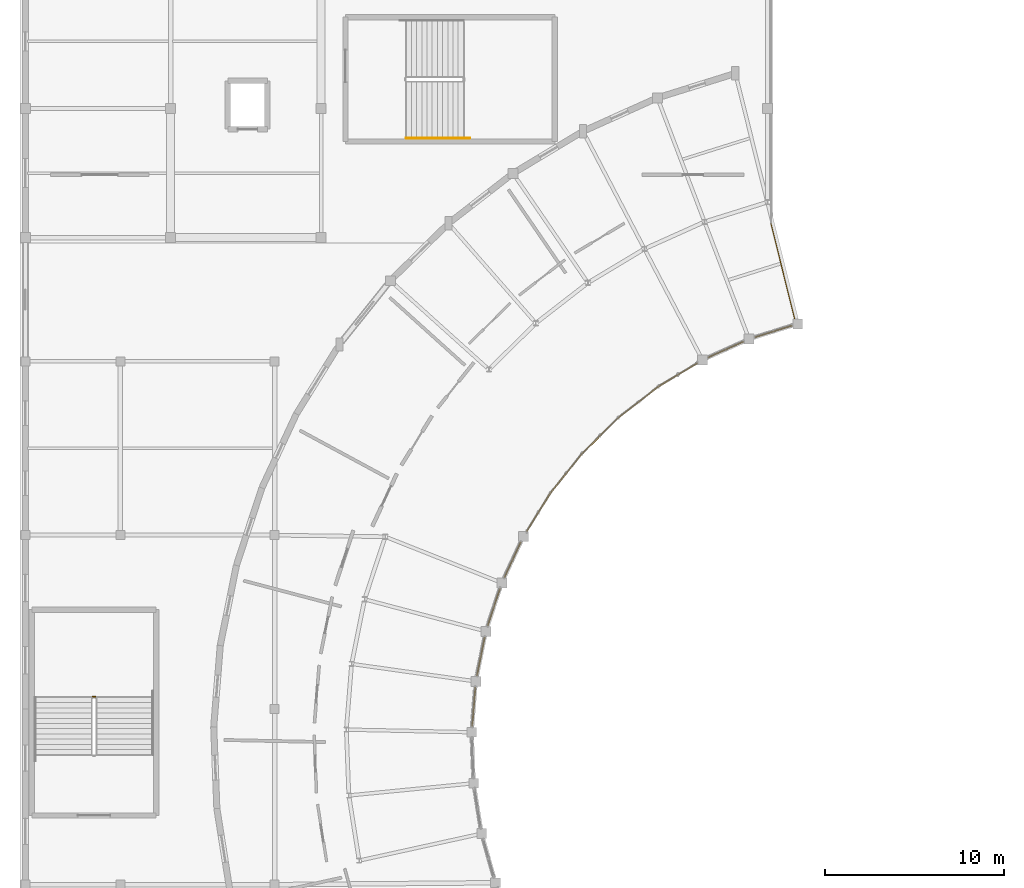
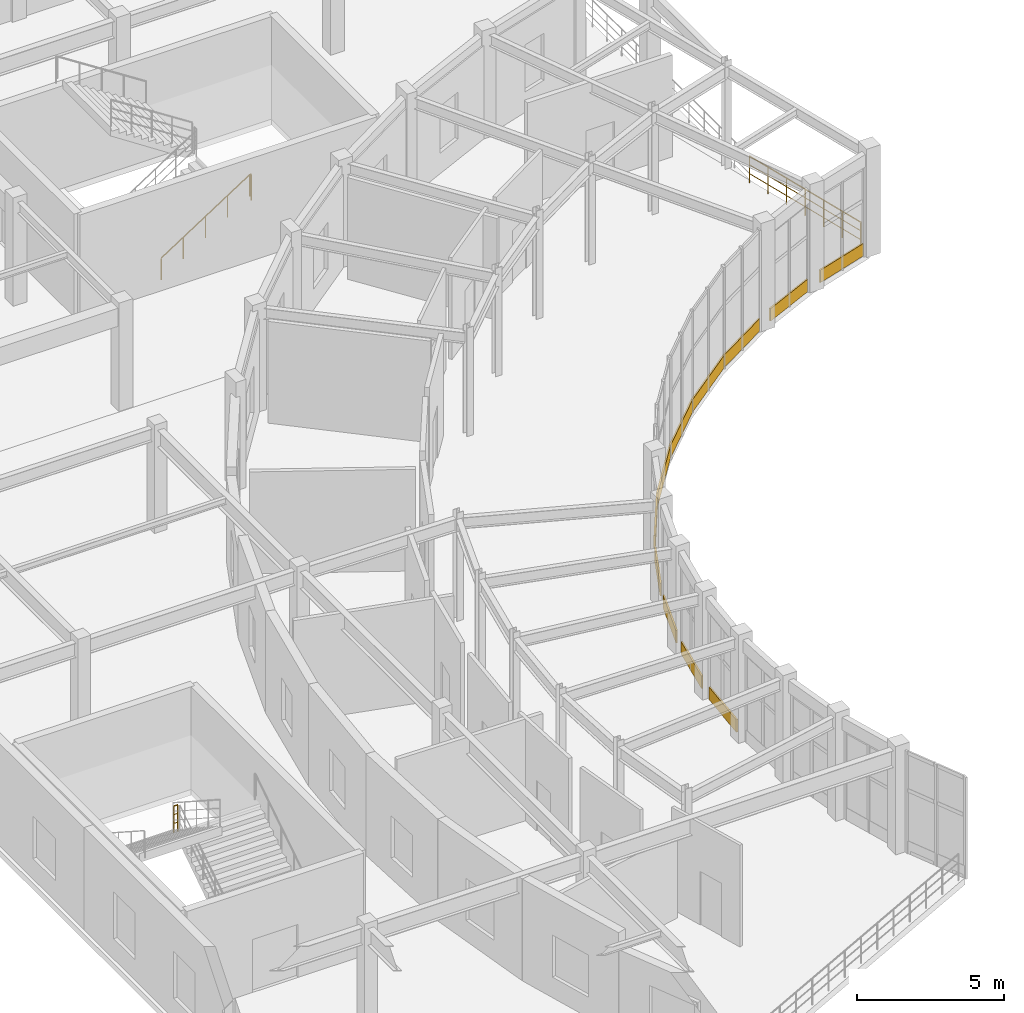
# One storey, part 107 of 112: 11 coverings, 3 railings.
"""IFC4 building model written with IfcOpenShell, lengths in metres."""

import ifcopenshell
import ifcopenshell.guid

model = None  # the IFC model being written
_history = None  # IfcOwnerHistory: only IFC2X3 demands one
_inside = {}  # id of a spatial element -> (the spatial element, [elements in it])
_under = {}  # id of a project, library or spatial element -> (it, [spatial elements below it])
_declared = {}  # id of a project -> (the project, [libraries it declares])
_typed = {}  # id of a type object -> (the type object, [elements of that type])
_made_of = {}  # id of a material, layer set ... -> (it, [elements and type objects made of it])


def new_model(schema):
    """Start an empty IFC model of exactly this schema.

    Asked for "IFC4X3", IfcOpenShell would pick the latest addendum, in which some entities
    have other attributes; the version numbers below select the first issue.
    IFC2X3 requires an IfcOwnerHistory on every rooted entity: one is made here for all.
    """
    global model, _history
    if schema == "IFC4X3":
        model = ifcopenshell.file(schema_version=(4, 3, 0, 0))
    else:
        model = ifcopenshell.file(schema=schema)
    _inside.clear()
    _under.clear()
    _declared.clear()
    _typed.clear()
    _made_of.clear()
    _history = None
    if model.schema == "IFC2X3":
        org = make("IfcOrganization", Name="unknown")
        user = make(
            "IfcPersonAndOrganization",
            ThePerson=make("IfcPerson", FamilyName="unknown"),
            TheOrganization=org,
        )
        app = make(
            "IfcApplication",
            ApplicationDeveloper=org,
            Version="unknown",
            ApplicationFullName="unknown",
            ApplicationIdentifier="unknown",
        )
        _history = make(
            "IfcOwnerHistory",
            OwningUser=user,
            OwningApplication=app,
            ChangeAction="ADDED",
            CreationDate=0,
        )
    return model


def make(cls, **values):
    """One entity of the class cls with the attributes given. An attribute that is None is left unset."""
    return model.create_entity(
        cls, **{name: value for name, value in values.items() if value is not None}
    )


def rooted(cls, **values):
    """An entity with a GlobalId (a new one), such as an element, a storey or a relation."""
    return make(cls, GlobalId=ifcopenshell.guid.new(), OwnerHistory=_history, **values)


def si_unit(unit_type, name, prefix=None):
    """IfcSIUnit, for example si_unit("LENGTHUNIT", "METRE", prefix="MILLI")."""
    return make("IfcSIUnit", UnitType=unit_type, Prefix=prefix, Name=name)


def assignment(units):
    """IfcUnitAssignment: the units of a project."""
    return None if units is None else make("IfcUnitAssignment", Units=units)


def point(xyz):
    """IfcCartesianPoint."""
    return None if xyz is None else make("IfcCartesianPoint", Coordinates=xyz)


def direction(xyz):
    """IfcDirection."""
    return None if xyz is None else make("IfcDirection", DirectionRatios=xyz)


def frame(location, z_axis=None, x_axis=None):
    """IfcAxis2Placement3D, a coordinate frame: its origin and axes. An axis left out is left unset."""
    return make(
        "IfcAxis2Placement3D",
        Location=point(location),
        Axis=direction(z_axis),
        RefDirection=direction(x_axis),
    )


def frame_2d(location, x_axis=None):
    """IfcAxis2Placement2D, a coordinate frame in the plane: its origin and x axis."""
    return make(
        "IfcAxis2Placement2D", Location=point(location), RefDirection=direction(x_axis)
    )


def origin():
    """The frame at (0, 0, 0) with its axes left unset."""
    return frame((0.0, 0.0, 0.0))


def origin_2d():
    """The frame at (0, 0) in the plane with its x axis left unset."""
    return frame_2d((0.0, 0.0))


def place(relative_to, where):
    """IfcLocalPlacement: puts the frame where relative to a parent placement (None: the world)."""
    return make(
        "IfcLocalPlacement", PlacementRelTo=relative_to, RelativePlacement=where
    )


def context(
    kind, dimensions, precision=None, world=None, true_north=None, identifier=None
):
    """IfcGeometricRepresentationContext, for example the 3D "Model" context."""
    return make(
        "IfcGeometricRepresentationContext",
        ContextIdentifier=identifier,
        ContextType=kind,
        CoordinateSpaceDimension=dimensions,
        Precision=precision,
        WorldCoordinateSystem=world,
        TrueNorth=true_north,
    )


def subcontext(parent, identifier, kind, view, scale=None):
    """IfcGeometricRepresentationSubContext, for example "Body" below "Model"."""
    return make(
        "IfcGeometricRepresentationSubContext",
        ContextIdentifier=identifier,
        ContextType=kind,
        ParentContext=parent,
        TargetScale=scale,
        TargetView=view,
    )


def project(units=None, contexts=None):
    """IfcProject with its units and contexts."""
    return rooted(
        "IfcProject",
        Name="project",
        RepresentationContexts=contexts,
        UnitsInContext=assignment(units),
    )


def spatial(cls, under=None, at=None, **own):
    """A site, building, storey or space (cls), placed at a placement, below another one or the project."""
    s = rooted(cls, ObjectPlacement=at, **own)
    if under is not None:
        _under.setdefault(under.id(), (under, []))[1].append(s)
    return s


def profile(cls, at=None, kind="AREA", **sizes):
    """A parametric profile (cls). Its sizes go by their IFC names, for example OverallWidth=200.0."""
    return make(cls, ProfileType=kind, Position=at, **sizes)


def rectangle(**sizes):
    """IfcRectangleProfileDef."""
    return profile("IfcRectangleProfileDef", **sizes)


def circle(**sizes):
    """IfcCircleProfileDef."""
    return profile("IfcCircleProfileDef", **sizes)


def extrude(swept, where, along, depth):
    """IfcExtrudedAreaSolid: the profile swept, set in the frame where, extruded along a direction by depth."""
    return make(
        "IfcExtrudedAreaSolid",
        SweptArea=swept,
        Position=where,
        ExtrudedDirection=direction(along),
        Depth=depth,
    )


def shape(context_of_items, identifier, shape_type, items):
    """IfcShapeRepresentation: the items that make up one representation, for example the "Body"."""
    return make(
        "IfcShapeRepresentation",
        ContextOfItems=context_of_items,
        RepresentationIdentifier=identifier,
        RepresentationType=shape_type,
        Items=items,
    )


def material(Name=None, Category=None):
    """IfcMaterial."""
    return make("IfcMaterial", Name=Name, Category=Category)


def layer(
    of_material, thickness, ventilated=None, Name=None, Category=None, Priority=None
):
    """IfcMaterialLayer: one layer of a wall or slab, of a material (None: an air gap)."""
    return make(
        "IfcMaterialLayer",
        Material=of_material,
        LayerThickness=thickness,
        IsVentilated=ventilated,
        Name=Name,
        Category=Category,
        Priority=Priority,
    )


def layer_set(layers, Name=None):
    """IfcMaterialLayerSet."""
    return make("IfcMaterialLayerSet", MaterialLayers=layers, LayerSetName=Name)


def made_of(thing, what):
    """Note that an element or type object is made of a material, layer set ...; save() writes the relation."""
    if what is not None:
        _made_of.setdefault(what.id(), (what, []))[1].append(thing)
    return thing


def type_object(cls, material=None, **own):
    """A type object (cls), such as IfcWallType, which elements share."""
    return made_of(rooted(cls, **own), material)


def element(
    cls,
    number,
    at=None,
    inside=None,
    cuts=None,
    type_object=None,
    material=None,
    context=None,
    identifier="Body",
    shape_type=None,
    held_by="IfcProductDefinitionShape",
    body=None,
    shapes=None,
    **own,
):
    """One element of the class cls, such as IfcWall. Its Tag is "e" and its number.

    at: its placement. inside: the storey or other place that contains it. cuts: it is an
    opening in that element (IfcRelVoidsElement). A single representation is given by context,
    identifier, shape_type and body (its items); several are given by shapes. held_by: the class
    of the entity that holds the representations. save() writes the other relations.
    """
    e = rooted(cls, Tag="e%d" % number, ObjectPlacement=at, **own)
    if body is not None:
        shapes = [shape(context, identifier, shape_type, body)]
    if shapes is not None:
        e.Representation = make(held_by, Representations=shapes)
    if inside is not None:
        _inside.setdefault(inside.id(), (inside, []))[1].append(e)
    if cuts is not None:
        rooted(
            "IfcRelVoidsElement", RelatingBuildingElement=cuts, RelatedOpeningElement=e
        )
    if type_object is not None:
        _typed.setdefault(type_object.id(), (type_object, []))[1].append(e)
    return made_of(e, material)


def aggregate(whole, parts):
    """IfcRelAggregates: a whole, such as a stair, and the parts it consists of."""
    return rooted("IfcRelAggregates", RelatingObject=whole, RelatedObjects=parts)


def save(model, path):
    """Write the relations noted so far, then the file.

    IfcRelAggregates (storeys below a building ...), IfcRelContainedInSpatialStructure (elements
    in a storey), IfcRelDefinesByType, IfcRelAssociatesMaterial and IfcRelDeclares: one each for
    every whole, place, type object, material and project.
    """
    for whole, parts in _under.values():
        aggregate(whole, parts)
    for where, things in _inside.values():
        rooted(
            "IfcRelContainedInSpatialStructure",
            RelatedElements=things,
            RelatingStructure=where,
        )
    for kind, things in _typed.values():
        rooted("IfcRelDefinesByType", RelatedObjects=things, RelatingType=kind)
    for what, things in _made_of.values():
        rooted("IfcRelAssociatesMaterial", RelatedObjects=things, RelatingMaterial=what)
    for by, libraries in _declared.values():
        rooted("IfcRelDeclares", RelatingContext=by, RelatedDefinitions=libraries)
    model.write(path)


model = new_model("IFC4")

# Units and contexts
model_context = context("Model", 3, precision=1e-05, world=origin(), true_north=direction((0.0, 1.0)))
body_context = subcontext(model_context, "Body", "Model", "MODEL_VIEW")
ifc_project = project(units=[si_unit("LENGTHUNIT", "METRE"), si_unit("AREAUNIT", "SQUARE_METRE"), si_unit("VOLUMEUNIT", "CUBIC_METRE"), si_unit("PLANEANGLEUNIT", "RADIAN"), si_unit("MASSUNIT", "GRAM", prefix="KILO")], contexts=[model_context])

# Site, building, storey
site_placement = place(None, origin())
site = spatial("IfcSite", under=ifc_project, at=site_placement, CompositionType="ELEMENT")
building_placement = place(site_placement, origin())
building = spatial("IfcBuilding", under=site, at=building_placement, Name="Cinderbank Siding Concert Hall", CompositionType="ELEMENT")
storey_placement = place(building_placement, frame((0.0, 0.0, 10.199951171875)))
storey = spatial("IfcBuildingStorey", under=building, at=storey_placement, Name="L03", CompositionType="ELEMENT", Elevation=10.199951171875)

# Coverings
ifc_material_1 = material(Name="Spotted gum glulam timber GL18 (42 MPa)", Category="wood")
ifc_layer = layer(ifc_material_1, 0.06494140625)
ifc_layer_set = layer_set([ifc_layer], Name="Spotted gum glulam timber GL18 (42 MPa)")
covering_type = type_object("IfcCoveringType", Name="CL-01 Spotted Gum Spandrel Band 520mm", PredefinedType="CLADDING", material=ifc_layer_set)
for number, where, z_axis, x_axis, name in (
    (1, (48.835693359375, 90.861328125, 0.0), (0.0, 0.0, 1.0), (-0.954240278145, -0.29904095299, 0.0), "CW-L03-123 Spotted Gum Spandrel Band"),
    (2, (46.17919921875, 89.852294921875, 0.0), (0.0, 0.0, 1.0), (-0.912121872087, -0.409919126731, 0.0), "CW-L03-124 Spotted Gum Spandrel Band"),
):
    element("IfcCovering", number, at=place(storey_placement, frame(where, z_axis=z_axis, x_axis=x_axis)), inside=storey, type_object=covering_type, Name=name, PredefinedType="CLADDING", context=body_context, shape_type="SweptSolid", body=[
        extrude(rectangle(XDim=2.166748046875, YDim=0.06494140625, at=origin_2d()), origin(), (0.0, 0.0, 1.0), 0.52001953125),
    ])
covering_1_placement = place(storey_placement, frame((43.51513671875, 88.4482421875, 0.0), z_axis=(0.0, 0.0, 1.0), x_axis=(-0.857161096841, -0.515048399727, 0.0)))
element("IfcCovering", 3, at=covering_1_placement, inside=storey, type_object=covering_type, Name="CW-L03-125 Spotted Gum Spandrel Band", PredefinedType="CLADDING", context=body_context, shape_type="SweptSolid", body=[
    extrude(rectangle(XDim=2.506591796875, YDim=0.06494140625, at=origin_2d()), origin(), (0.0, 0.0, 1.0), 0.52001953125),
])
for number, where, z_axis, x_axis, name in (
    (4, (41.316162109375, 86.930419921875, 0.0), (0.0, 0.0, 1.0), (-0.790161124037, -0.612899174466, 0.0), "CW-L03-126 Spotted Gum Spandrel Band"),
    (5, (39.177978515625, 85.05859375, 0.0), (0.0, 0.0, 1.0), (-0.712024905281, -0.702154209743, 0.0), "CW-L03-127 Spotted Gum Spandrel Band"),
    (6, (37.276611328125, 82.94677734375, 0.0), (0.0, 0.0, 1.0), (-0.62388932091, -0.781512709592, 0.0), "CW-L03-128 Spotted Gum Spandrel Band"),
):
    element("IfcCovering", number, at=place(storey_placement, frame(where, z_axis=z_axis, x_axis=x_axis)), inside=storey, type_object=covering_type, Name=name, PredefinedType="CLADDING", context=body_context, shape_type="SweptSolid", body=[
        extrude(rectangle(XDim=2.8466796875, YDim=0.06494140625, at=origin_2d()), origin(), (0.0, 0.0, 1.0), 0.52001953125),
    ])
covering_2_placement = place(storey_placement, frame((35.72802734375, 80.769287109375, 0.0), z_axis=(0.0, 0.0, 1.0), x_axis=(-0.526957938243, -0.849891364424, 0.0)))
element("IfcCovering", 7, at=covering_2_placement, inside=storey, type_object=covering_type, Name="CW-L03-129 Spotted Gum Spandrel Band", PredefinedType="CLADDING", context=body_context, shape_type="SweptSolid", body=[
    extrude(rectangle(XDim=2.506591796875, YDim=0.06494140625, at=origin_2d()), origin(), (0.0, 0.0, 1.0), 0.52001953125),
])
for number, where, z_axis, x_axis, name in (
    (8, (34.286865234375, 78.125, 0.0), (0.0, 0.0, 1.0), (-0.422596979175, -0.906317710956, 0.0), "CW-L03-130 Spotted Gum Spandrel Band"),
    (9, (33.24072265625, 75.48291015625, 0.0), (0.0, 0.0, 1.0), (-0.312357553034, -0.949964609374, 0.0), "CW-L03-131 Spotted Gum Spandrel Band"),
):
    element("IfcCovering", number, at=place(storey_placement, frame(where, z_axis=z_axis, x_axis=x_axis)), inside=storey, type_object=covering_type, Name=name, PredefinedType="CLADDING", context=body_context, shape_type="SweptSolid", body=[
        extrude(rectangle(XDim=2.166748046875, YDim=0.06494140625, at=origin_2d()), origin(), (0.0, 0.0, 1.0), 0.52001953125),
    ])
covering_3_placement = place(storey_placement, frame((32.514892578125, 72.735595703125, 0.0), z_axis=(0.0, 0.0, 1.0), x_axis=(-0.197635905492, -0.980275496409, 0.0)))
element("IfcCovering", 10, at=covering_3_placement, inside=storey, type_object=covering_type, Name="CW-L03-132 Spotted Gum Spandrel Band", PredefinedType="CLADDING", context=body_context, shape_type="SweptSolid", body=[
    extrude(rectangle(XDim=2.16650390625, YDim=0.06494140625, at=origin_2d()), origin(), (0.0, 0.0, 1.0), 0.52001953125),
])
covering_4_placement = place(storey_placement, frame((32.119384765625, 69.92138671875, 0.0), z_axis=(0.0, 0.0, 1.0), x_axis=(-0.0801961758, -0.996779099594, 0.0)))
element("IfcCovering", 11, at=covering_4_placement, inside=storey, type_object=covering_type, Name="CW-L03-133 Spotted Gum Spandrel Band", PredefinedType="CLADDING", context=body_context, shape_type="SweptSolid", body=[
    extrude(rectangle(XDim=2.166748046875, YDim=0.06494140625, at=origin_2d()), origin(), (0.0, 0.0, 1.0), 0.52001953125),
])

# Railings
ifc_material_2 = material(Name="Structural steel AS/NZS 3679.1 Grade 350 (340 MPa)", Category="steel")
railing_type_1 = type_object("IfcRailingType", Name="GD-01 Terrace & Perimeter Guardrail 1120mm", PredefinedType="GUARDRAIL", material=ifc_material_2)
railing_1_placement = place(storey_placement, frame((48.699951171875, 96.865478515625, 0.0)))
element("IfcRailing", 12, at=railing_1_placement, inside=storey, type_object=railing_type_1, Name="L03 Perimeter Guardrail #72", PredefinedType="GUARDRAIL", context=body_context, shape_type="SweptSolid", body=[
    extrude(circle(Radius=0.02392578125, at=origin_2d()), frame((0.0, 0.0, 1.09619140625), z_axis=(0.241945866467, -0.970289749353, 0.0), x_axis=(0.970289749353, 0.241945866467, 0.0)), (0.0, 0.0, 1.0), 5.455078125),
    extrude(circle(Radius=0.01611328125, at=origin_2d()), frame((0.0, 0.0, 0.36962890625), z_axis=(0.241945866467, -0.970289749353, 0.0), x_axis=(0.970289749353, 0.241945866467, 0.0)), (0.0, 0.0, 1.0), 5.455078125),
    extrude(circle(Radius=0.01611328125, at=origin_2d()), frame((0.0, 0.0, 0.7392578125), z_axis=(0.241945866467, -0.970289749353, 0.0), x_axis=(0.970289749353, 0.241945866467, 0.0)), (0.0, 0.0, 1.0), 5.455078125),
    extrude(circle(Radius=0.02099609375, at=origin_2d()), origin(), (0.0, 0.0, 1.0), 1.072021484375),
    extrude(circle(Radius=0.02099609375, at=origin_2d()), frame((0.219970703125, -0.882080078125, 0.0)), (0.0, 0.0, 1.0), 1.072021484375),
    extrude(circle(Radius=0.02099609375, at=origin_2d()), frame((0.43994140625, -1.764404296875, 0.0)), (0.0, 0.0, 1.0), 1.072021484375),
    extrude(circle(Radius=0.02099609375, at=origin_2d()), frame((0.659912109375, -2.646484375, 0.0)), (0.0, 0.0, 1.0), 1.072021484375),
    extrude(circle(Radius=0.02099609375, at=origin_2d()), frame((0.8798828125, -3.528564453125, 0.0)), (0.0, 0.0, 1.0), 1.072021484375),
    extrude(circle(Radius=0.02099609375, at=origin_2d()), frame((1.099853515625, -4.410888671875, 0.0)), (0.0, 0.0, 1.0), 1.072021484375),
    extrude(circle(Radius=0.02099609375, at=origin_2d()), frame((1.31982421875, -5.29296875, 0.0)), (0.0, 0.0, 1.0), 1.072021484375),
])
railing_type_2 = type_object("IfcRailingType", Name="STG-01 Stair Well Guardrail 1120mm", PredefinedType="GUARDRAIL", material=ifc_material_2)
railing_2_placement = place(storey_placement, frame((11.010009765625, 70.489990234375, 2.25)))
element("IfcRailing", 13, at=railing_2_placement, inside=storey, type_object=railing_type_2, Name="L03 ST-09 stair guard 2", PredefinedType="GUARDRAIL", context=body_context, shape_type="SweptSolid", body=[
    extrude(circle(Radius=0.02392578125, at=origin_2d()), frame((0.0, 0.0, 1.09619140625), z_axis=(-1.0, 0.0, 0.0), x_axis=(0.0, -1.0, 0.0)), (0.0, 0.0, 1.0), 0.159912109375),
    extrude(circle(Radius=0.01611328125, at=origin_2d()), frame((0.0, 0.0, 0.36962890625), z_axis=(-1.0, 0.0, 0.0), x_axis=(0.0, -1.0, 0.0)), (0.0, 0.0, 1.0), 0.159912109375),
    extrude(circle(Radius=0.01611328125, at=origin_2d()), frame((0.0, 0.0, 0.7392578125), z_axis=(-1.0, 0.0, 0.0), x_axis=(0.0, -1.0, 0.0)), (0.0, 0.0, 1.0), 0.159912109375),
    extrude(circle(Radius=0.02099609375, at=origin_2d()), origin(), (0.0, 0.0, 1.0), 1.072021484375),
    extrude(circle(Radius=0.02099609375, at=origin_2d()), frame((-0.159912109375, 0.0, 0.0)), (0.0, 0.0, 1.0), 1.072021484375),
])
railing_type_3 = type_object("IfcRailingType", Name="STH-01 Stair Pitch Handrail 920mm", PredefinedType="HANDRAIL", material=ifc_material_2)
railing_3_placement = place(storey_placement, frame((28.35009765625, 101.64990234375, 0.1875)))
element("IfcRailing", 14, at=railing_3_placement, inside=storey, type_object=railing_type_3, Name="L03 ST-05 stair handrail 1", PredefinedType="HANDRAIL", context=body_context, shape_type="SweptSolid", body=[
    extrude(circle(Radius=0.02392578125, at=origin_2d()), frame((0.0, 0.0, 0.89599609375), z_axis=(0.839762940478, 0.0, 0.542953224319), x_axis=(0.0, 1.0, 0.0)), (0.0, 0.0, 1.0), 4.14404296875),
    extrude(circle(Radius=0.02392578125, at=origin_2d()), frame((3.47998046875, 0.0, 3.14599609375), z_axis=(1.0, 0.0, 0.0), x_axis=(0.0, 1.0, 0.0)), (0.0, 0.0, 1.0), 0.059814453125),
    extrude(circle(Radius=0.02099609375, at=origin_2d()), origin(), (0.0, 0.0, 1.0), 0.871826171875),
    extrude(circle(Radius=0.02099609375, at=origin_2d()), frame((0.8701171875, 0.0, 0.5625)), (0.0, 0.0, 1.0), 0.871826171875),
    extrude(circle(Radius=0.02099609375, at=origin_2d()), frame((1.739990234375, 0.0, 1.125)), (0.0, 0.0, 1.0), 0.871826171875),
    extrude(circle(Radius=0.02099609375, at=origin_2d()), frame((2.60986328125, 0.0, 1.6875)), (0.0, 0.0, 1.0), 0.871826171875),
    extrude(circle(Radius=0.02099609375, at=origin_2d()), frame((3.47998046875, 0.0, 2.25)), (0.0, 0.0, 1.0), 0.871826171875),
    extrude(circle(Radius=0.02099609375, at=origin_2d()), frame((3.539794921875, 0.0, 2.0625)), (0.0, 0.0, 1.0), 1.059326171875),
])

save(model, "model.ifc")
